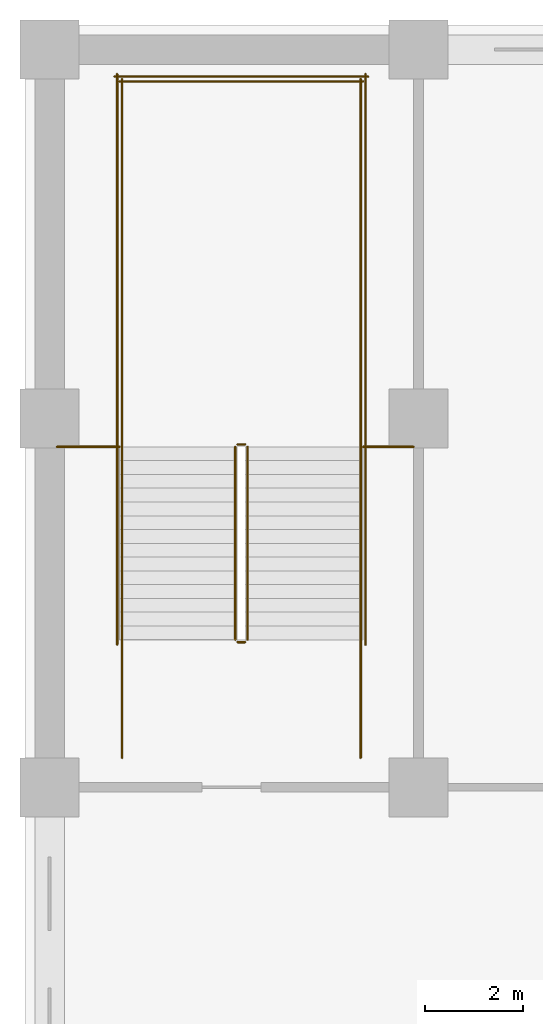
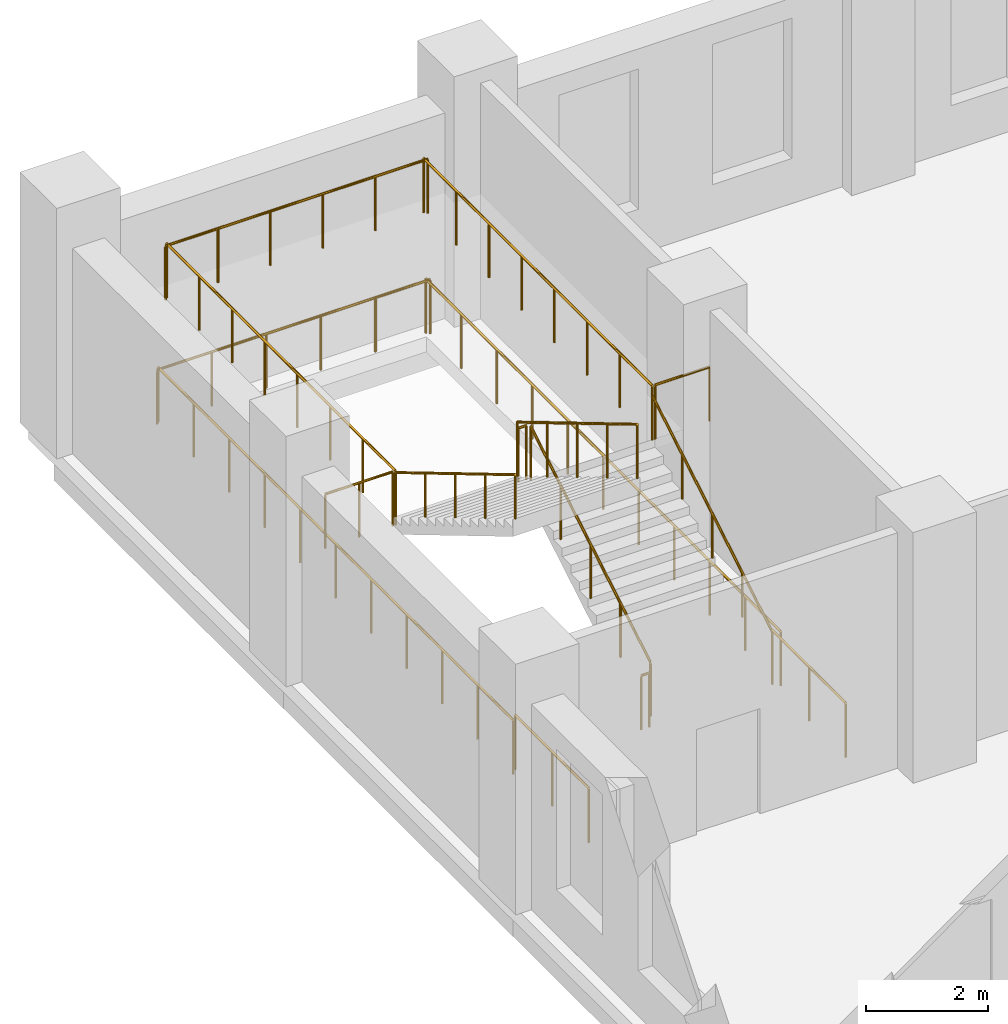
# One storey, part 25 of 32: 16 railings.
"""IFC4 building model written with IfcOpenShell, lengths in metres."""

from ifc_helpers import new_model, si_unit, direction, frame, origin, origin_2d, place, context, subcontext, project, spatial, circle, extrude, material, type_object, element, save


model = new_model("IFC4")

# Units and contexts
model_context = context("Model", 3, precision=1e-05, world=origin(), true_north=direction((0.0, 1.0)))
body_context = subcontext(model_context, "Body", "Model", "MODEL_VIEW")
ifc_project = project(units=[si_unit("LENGTHUNIT", "METRE"), si_unit("AREAUNIT", "SQUARE_METRE"), si_unit("VOLUMEUNIT", "CUBIC_METRE"), si_unit("PLANEANGLEUNIT", "RADIAN"), si_unit("MASSUNIT", "GRAM", prefix="KILO")], contexts=[model_context])

# Site, building, storey
site_placement = place(None, origin())
site = spatial("IfcSite", under=ifc_project, at=site_placement, CompositionType="ELEMENT")
building_placement = place(site_placement, origin())
building = spatial("IfcBuilding", under=site, at=building_placement, Name="Tamorin Gate", CompositionType="ELEMENT")
storey_placement = place(building_placement, frame((0.0, 0.0, 18.5)))
storey = spatial("IfcBuildingStorey", under=building, at=storey_placement, Name="L03", CompositionType="ELEMENT", Elevation=18.5)

# Railings
ifc_material = material(Name="Steel", Category="steel")
railing_type_1 = type_object("IfcRailingType", Name="Podium guard 1100", PredefinedType="GUARDRAIL", material=ifc_material)
railing_1_placement = place(storey_placement, frame((19.52490234375, 100.0, 0.166748046875)))
element("IfcRailing", 1, at=railing_1_placement, inside=storey, type_object=railing_type_1, Name="L03 PS2 stair guard 1", PredefinedType="GUARDRAIL", context=body_context, shape_type="SweptSolid", body=[
    extrude(circle(Radius=0.02392578125, at=origin_2d()), frame((0.0, 0.0, 1.076171875), z_axis=(0.0, 0.859296244711, 0.511478214419), x_axis=(-1.0, 0.0, 0.0)), (0.0, 0.0, 1.0), 4.561767578125),
    extrude(circle(Radius=0.02099609375, at=origin_2d()), origin(), (0.0, 0.0, 1.0), 1.052001953125),
    extrude(circle(Radius=0.02099609375, at=origin_2d()), frame((0.0, 0.97998046875, 0.583251953125)), (0.0, 0.0, 1.0), 1.052001953125),
    extrude(circle(Radius=0.02099609375, at=origin_2d()), frame((0.0, 1.9599609375, 1.16650390625)), (0.0, 0.0, 1.0), 1.052001953125),
    extrude(circle(Radius=0.02099609375, at=origin_2d()), frame((0.0, 2.93994140625, 1.75)), (0.0, 0.0, 1.0), 1.052001953125),
    extrude(circle(Radius=0.02099609375, at=origin_2d()), frame((0.0, 3.919921875, 2.333251953125)), (0.0, 0.0, 1.0), 1.052001953125),
])
railing_2_placement = place(storey_placement, frame((19.47509765625, 103.969970703125, 2.5)))
element("IfcRailing", 2, at=railing_2_placement, inside=storey, type_object=railing_type_1, Name="L03 PS2 stair guard 2", PredefinedType="GUARDRAIL", context=body_context, shape_type="SweptSolid", body=[
    extrude(circle(Radius=0.02392578125, at=origin_2d()), frame((0.0, 0.0, 1.076171875), z_axis=(-1.0, 0.0, 0.0), x_axis=(0.0, -1.0, 0.0)), (0.0, 0.0, 1.0), 0.150146484375),
    extrude(circle(Radius=0.02099609375, at=origin_2d()), origin(), (0.0, 0.0, 1.0), 1.052001953125),
    extrude(circle(Radius=0.02099609375, at=origin_2d()), frame((-0.150146484375, 0.0, 0.0)), (0.0, 0.0, 1.0), 1.052001953125),
])
for number, where, name in (
    (3, (21.824951171875, 103.919921875, 2.5), "L03 PS2 stair guard 3"),
    (4, (16.97509765625, 103.919921875, 2.5), "L03 PS2 stair guard 4"),
):
    element("IfcRailing", number, at=place(storey_placement, frame(where)), inside=storey, type_object=railing_type_1, Name=name, PredefinedType="GUARDRAIL", context=body_context, shape_type="SweptSolid", body=[
        extrude(circle(Radius=0.02392578125, at=origin_2d()), frame((0.0, 0.0, 1.076171875), z_axis=(0.0, 1.0, 0.0), x_axis=(-1.0, 0.0, 0.0)), (0.0, 0.0, 1.0), 7.47998046875),
        extrude(circle(Radius=0.02099609375, at=origin_2d()), origin(), (0.0, 0.0, 1.0), 1.052001953125),
        extrude(circle(Radius=0.02099609375, at=origin_2d()), frame((0.0, 1.068603515625, 0.0)), (0.0, 0.0, 1.0), 1.052001953125),
        extrude(circle(Radius=0.02099609375, at=origin_2d()), frame((0.0, 2.13720703125, 0.0)), (0.0, 0.0, 1.0), 1.052001953125),
        extrude(circle(Radius=0.02099609375, at=origin_2d()), frame((0.0, 3.205810546875, 0.0)), (0.0, 0.0, 1.0), 1.052001953125),
        extrude(circle(Radius=0.02099609375, at=origin_2d()), frame((0.0, 4.274169921875, 0.0)), (0.0, 0.0, 1.0), 1.052001953125),
        extrude(circle(Radius=0.02099609375, at=origin_2d()), frame((0.0, 5.3427734375, 0.0)), (0.0, 0.0, 1.0), 1.052001953125),
        extrude(circle(Radius=0.02099609375, at=origin_2d()), frame((0.0, 6.411376953125, 0.0)), (0.0, 0.0, 1.0), 1.052001953125),
        extrude(circle(Radius=0.02099609375, at=origin_2d()), frame((0.0, 7.47998046875, 0.0)), (0.0, 0.0, 1.0), 1.052001953125),
    ])
railing_3_placement = place(storey_placement, frame((21.875, 111.35009765625, 2.5)))
element("IfcRailing", 5, at=railing_3_placement, inside=storey, type_object=railing_type_1, Name="L03 PS2 stair guard 5", PredefinedType="GUARDRAIL", context=body_context, shape_type="SweptSolid", body=[
    extrude(circle(Radius=0.02392578125, at=origin_2d()), frame((0.0, 0.0, 1.076171875), z_axis=(-1.0, 0.0, 0.0), x_axis=(0.0, -1.0, 0.0)), (0.0, 0.0, 1.0), 4.949951171875),
    extrude(circle(Radius=0.02099609375, at=origin_2d()), origin(), (0.0, 0.0, 1.0), 1.052001953125),
    extrude(circle(Radius=0.02099609375, at=origin_2d()), frame((-0.989990234375, 0.0, 0.0)), (0.0, 0.0, 1.0), 1.052001953125),
    extrude(circle(Radius=0.02099609375, at=origin_2d()), frame((-1.97998046875, 0.0, 0.0)), (0.0, 0.0, 1.0), 1.052001953125),
    extrude(circle(Radius=0.02099609375, at=origin_2d()), frame((-2.969970703125, 0.0, 0.0)), (0.0, 0.0, 1.0), 1.052001953125),
    extrude(circle(Radius=0.02099609375, at=origin_2d()), frame((-3.9599609375, 0.0, 0.0)), (0.0, 0.0, 1.0), 1.052001953125),
    extrude(circle(Radius=0.02099609375, at=origin_2d()), frame((-4.949951171875, 0.0, 0.0)), (0.0, 0.0, 1.0), 1.052001953125),
])
railing_4_placement = place(storey_placement, frame((19.27490234375, 103.919921875, 2.666748046875)))
element("IfcRailing", 6, at=railing_4_placement, inside=storey, type_object=railing_type_1, Name="L03 PS2 stair guard 6", PredefinedType="GUARDRAIL", context=body_context, shape_type="SweptSolid", body=[
    extrude(circle(Radius=0.02392578125, at=origin_2d()), frame((0.0, 0.0, 1.076171875), z_axis=(0.0, -0.859296244711, 0.511478214419), x_axis=(1.0, 0.0, 0.0)), (0.0, 0.0, 1.0), 4.561767578125),
    extrude(circle(Radius=0.02099609375, at=origin_2d()), origin(), (0.0, 0.0, 1.0), 1.052001953125),
    extrude(circle(Radius=0.02099609375, at=origin_2d()), frame((0.0, -0.97998046875, 0.583251953125)), (0.0, 0.0, 1.0), 1.052001953125),
    extrude(circle(Radius=0.02099609375, at=origin_2d()), frame((0.0, -1.9599609375, 1.16650390625)), (0.0, 0.0, 1.0), 1.052001953125),
    extrude(circle(Radius=0.02099609375, at=origin_2d()), frame((0.0, -2.93994140625, 1.75)), (0.0, 0.0, 1.0), 1.052001953125),
    extrude(circle(Radius=0.02099609375, at=origin_2d()), frame((0.0, -3.919921875, 2.333251953125)), (0.0, 0.0, 1.0), 1.052001953125),
])
railing_5_placement = place(storey_placement, frame((19.47509765625, 99.949951171875, 0.0)))
element("IfcRailing", 7, at=railing_5_placement, inside=storey, type_object=railing_type_1, Name="L03 PS2 stair guard 7", PredefinedType="GUARDRAIL", context=body_context, shape_type="SweptSolid", body=[
    extrude(circle(Radius=0.02392578125, at=origin_2d()), frame((0.0, 0.0, 1.076171875), z_axis=(-1.0, 0.0, 0.0), x_axis=(0.0, -1.0, 0.0)), (0.0, 0.0, 1.0), 0.150146484375),
    extrude(circle(Radius=0.02099609375, at=origin_2d()), origin(), (0.0, 0.0, 1.0), 1.052001953125),
    extrude(circle(Radius=0.02099609375, at=origin_2d()), frame((-0.150146484375, 0.0, 0.0)), (0.0, 0.0, 1.0), 1.052001953125),
])
for number, where, name in (
    (8, (21.824951171875, 97.60009765625, 0.0), "L03 PS2 stair guard 8"),
    (9, (16.97509765625, 97.60009765625, 0.0), "L03 PS2 stair guard 9"),
):
    element("IfcRailing", number, at=place(storey_placement, frame(where)), inside=storey, type_object=railing_type_1, Name=name, PredefinedType="GUARDRAIL", context=body_context, shape_type="SweptSolid", body=[
        extrude(circle(Radius=0.02392578125, at=origin_2d()), frame((0.0, 0.0, 1.076171875), z_axis=(0.0, 1.0, 0.0), x_axis=(-1.0, 0.0, 0.0)), (0.0, 0.0, 1.0), 2.39990234375),
        extrude(circle(Radius=0.02099609375, at=origin_2d()), origin(), (0.0, 0.0, 1.0), 1.052001953125),
        extrude(circle(Radius=0.02099609375, at=origin_2d()), frame((0.0, 1.199951171875, 0.0)), (0.0, 0.0, 1.0), 1.052001953125),
        extrude(circle(Radius=0.02099609375, at=origin_2d()), frame((0.0, 2.39990234375, 0.0)), (0.0, 0.0, 1.0), 1.052001953125),
    ])
for number, where, name in (
    (10, (21.925048828125, 99.89990234375, 0.0), "L03 PS2 stair guard 10"),
    (11, (16.875, 99.89990234375, 0.0), "L03 PS2 stair guard 11"),
):
    element("IfcRailing", number, at=place(storey_placement, frame(where)), inside=storey, type_object=railing_type_1, Name=name, PredefinedType="GUARDRAIL", context=body_context, shape_type="SweptSolid", body=[
        extrude(circle(Radius=0.02392578125, at=origin_2d()), frame((0.0, 0.0, 1.076171875), z_axis=(0.0, 1.0, 0.0), x_axis=(-1.0, 0.0, 0.0)), (0.0, 0.0, 1.0), 11.60009765625),
        extrude(circle(Radius=0.02099609375, at=origin_2d()), origin(), (0.0, 0.0, 1.0), 1.052001953125),
        extrude(circle(Radius=0.02099609375, at=origin_2d()), frame((0.0, 1.159912109375, 0.0)), (0.0, 0.0, 1.0), 1.052001953125),
        extrude(circle(Radius=0.02099609375, at=origin_2d()), frame((0.0, 2.320068359375, 0.0)), (0.0, 0.0, 1.0), 1.052001953125),
        extrude(circle(Radius=0.02099609375, at=origin_2d()), frame((0.0, 3.47998046875, 0.0)), (0.0, 0.0, 1.0), 1.052001953125),
        extrude(circle(Radius=0.02099609375, at=origin_2d()), frame((0.0, 4.64013671875, 0.0)), (0.0, 0.0, 1.0), 1.052001953125),
        extrude(circle(Radius=0.02099609375, at=origin_2d()), frame((0.0, 5.800048828125, 0.0)), (0.0, 0.0, 1.0), 1.052001953125),
        extrude(circle(Radius=0.02099609375, at=origin_2d()), frame((0.0, 6.9599609375, 0.0)), (0.0, 0.0, 1.0), 1.052001953125),
        extrude(circle(Radius=0.02099609375, at=origin_2d()), frame((0.0, 8.1201171875, 0.0)), (0.0, 0.0, 1.0), 1.052001953125),
        extrude(circle(Radius=0.02099609375, at=origin_2d()), frame((0.0, 9.280029296875, 0.0)), (0.0, 0.0, 1.0), 1.052001953125),
        extrude(circle(Radius=0.02099609375, at=origin_2d()), frame((0.0, 10.440185546875, 0.0)), (0.0, 0.0, 1.0), 1.052001953125),
        extrude(circle(Radius=0.02099609375, at=origin_2d()), frame((0.0, 11.60009765625, 0.0)), (0.0, 0.0, 1.0), 1.052001953125),
    ])
railing_6_placement = place(storey_placement, frame((21.97509765625, 111.449951171875, 0.0)))
element("IfcRailing", 12, at=railing_6_placement, inside=storey, type_object=railing_type_1, Name="L03 PS2 stair guard 12", PredefinedType="GUARDRAIL", context=body_context, shape_type="SweptSolid", body=[
    extrude(circle(Radius=0.02392578125, at=origin_2d()), frame((0.0, 0.0, 1.076171875), z_axis=(-1.0, 0.0, 0.0), x_axis=(0.0, -1.0, 0.0)), (0.0, 0.0, 1.0), 5.150146484375),
    extrude(circle(Radius=0.02099609375, at=origin_2d()), origin(), (0.0, 0.0, 1.0), 1.052001953125),
    extrude(circle(Radius=0.02099609375, at=origin_2d()), frame((-1.030029296875, 0.0, 0.0)), (0.0, 0.0, 1.0), 1.052001953125),
    extrude(circle(Radius=0.02099609375, at=origin_2d()), frame((-2.06005859375, 0.0, 0.0)), (0.0, 0.0, 1.0), 1.052001953125),
    extrude(circle(Radius=0.02099609375, at=origin_2d()), frame((-3.090087890625, 0.0, 0.0)), (0.0, 0.0, 1.0), 1.052001953125),
    extrude(circle(Radius=0.02099609375, at=origin_2d()), frame((-4.1201171875, 0.0, 0.0)), (0.0, 0.0, 1.0), 1.052001953125),
    extrude(circle(Radius=0.02099609375, at=origin_2d()), frame((-5.150146484375, 0.0, 0.0)), (0.0, 0.0, 1.0), 1.052001953125),
])
railing_7_placement = place(storey_placement, frame((15.64990234375, 103.919921875, 2.5)))
element("IfcRailing", 13, at=railing_7_placement, inside=storey, type_object=railing_type_1, Name="Landing edge guard", PredefinedType="GUARDRAIL", context=body_context, shape_type="SweptSolid", body=[
    extrude(circle(Radius=0.02392578125, at=origin_2d()), frame((0.0, 0.0, 1.076171875), z_axis=(1.0, 0.0, 0.0), x_axis=(0.0, 1.0, 0.0)), (0.0, 0.0, 1.0), 1.275146484375),
    extrude(circle(Radius=0.02099609375, at=origin_2d()), origin(), (0.0, 0.0, 1.0), 1.052001953125),
    extrude(circle(Radius=0.02099609375, at=origin_2d()), frame((0.6376953125, 0.0, 0.0)), (0.0, 0.0, 1.0), 1.052001953125),
    extrude(circle(Radius=0.02099609375, at=origin_2d()), frame((1.275146484375, 0.0, 0.0)), (0.0, 0.0, 1.0), 1.052001953125),
])
railing_8_placement = place(storey_placement, frame((21.875, 103.919921875, 2.5)))
element("IfcRailing", 14, at=railing_8_placement, inside=storey, type_object=railing_type_1, Name="Landing edge guard", PredefinedType="GUARDRAIL", context=body_context, shape_type="SweptSolid", body=[
    extrude(circle(Radius=0.02392578125, at=origin_2d()), frame((0.0, 0.0, 1.076171875), z_axis=(1.0, 0.0, 0.0), x_axis=(0.0, 1.0, 0.0)), (0.0, 0.0, 1.0), 1.02490234375),
    extrude(circle(Radius=0.02099609375, at=origin_2d()), origin(), (0.0, 0.0, 1.0), 1.052001953125),
    extrude(circle(Radius=0.02099609375, at=origin_2d()), frame((1.02490234375, 0.0, 0.0)), (0.0, 0.0, 1.0), 1.052001953125),
])
railing_type_2 = type_object("IfcRailingType", Name="Podium stair handrail 900", PredefinedType="HANDRAIL", material=ifc_material)
railing_9_placement = place(storey_placement, frame((21.824951171875, 100.0, 0.166748046875)))
element("IfcRailing", 15, at=railing_9_placement, inside=storey, type_object=railing_type_2, Name="L03 PS2 stair handrail 1", PredefinedType="HANDRAIL", context=body_context, shape_type="SweptSolid", body=[
    extrude(circle(Radius=0.02392578125, at=origin_2d()), frame((0.0, 0.0, 0.8759765625), z_axis=(0.0, 0.859296244711, 0.511478214419), x_axis=(-1.0, 0.0, 0.0)), (0.0, 0.0, 1.0), 4.561767578125),
    extrude(circle(Radius=0.02099609375, at=origin_2d()), origin(), (0.0, 0.0, 1.0), 0.851806640625),
    extrude(circle(Radius=0.02099609375, at=origin_2d()), frame((0.0, 0.97998046875, 0.583251953125)), (0.0, 0.0, 1.0), 0.851806640625),
    extrude(circle(Radius=0.02099609375, at=origin_2d()), frame((0.0, 1.9599609375, 1.16650390625)), (0.0, 0.0, 1.0), 0.851806640625),
    extrude(circle(Radius=0.02099609375, at=origin_2d()), frame((0.0, 2.93994140625, 1.75)), (0.0, 0.0, 1.0), 0.851806640625),
    extrude(circle(Radius=0.02099609375, at=origin_2d()), frame((0.0, 3.919921875, 2.333251953125)), (0.0, 0.0, 1.0), 0.851806640625),
])
railing_10_placement = place(storey_placement, frame((16.97509765625, 103.919921875, 2.666748046875)))
element("IfcRailing", 16, at=railing_10_placement, inside=storey, type_object=railing_type_2, Name="L03 PS2 stair handrail 2", PredefinedType="HANDRAIL", context=body_context, shape_type="SweptSolid", body=[
    extrude(circle(Radius=0.02392578125, at=origin_2d()), frame((0.0, 0.0, 0.8759765625), z_axis=(0.0, -0.859296244711, 0.511478214419), x_axis=(1.0, 0.0, 0.0)), (0.0, 0.0, 1.0), 4.561767578125),
    extrude(circle(Radius=0.02099609375, at=origin_2d()), origin(), (0.0, 0.0, 1.0), 0.851806640625),
    extrude(circle(Radius=0.02099609375, at=origin_2d()), frame((0.0, -0.97998046875, 0.583251953125)), (0.0, 0.0, 1.0), 0.851806640625),
    extrude(circle(Radius=0.02099609375, at=origin_2d()), frame((0.0, -1.9599609375, 1.16650390625)), (0.0, 0.0, 1.0), 0.851806640625),
    extrude(circle(Radius=0.02099609375, at=origin_2d()), frame((0.0, -2.93994140625, 1.75)), (0.0, 0.0, 1.0), 0.851806640625),
    extrude(circle(Radius=0.02099609375, at=origin_2d()), frame((0.0, -3.919921875, 2.333251953125)), (0.0, 0.0, 1.0), 0.851806640625),
])

save(model, "model.ifc")
